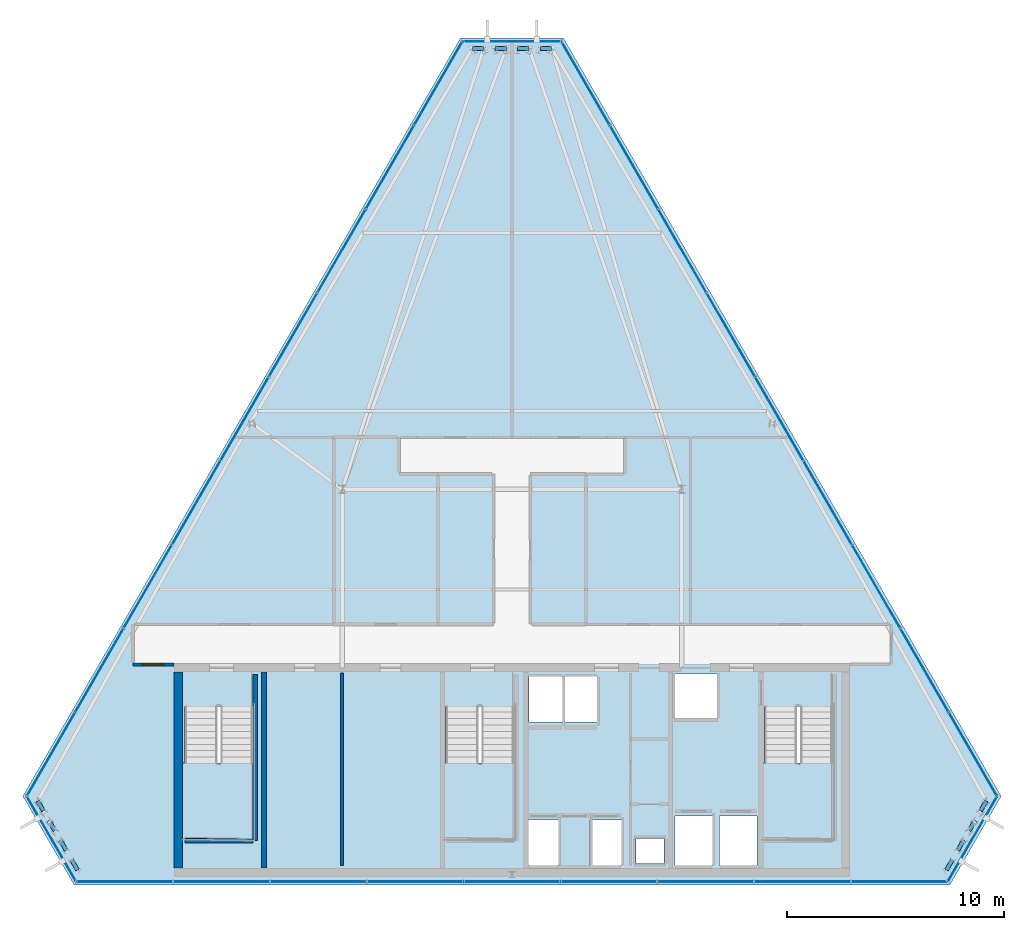
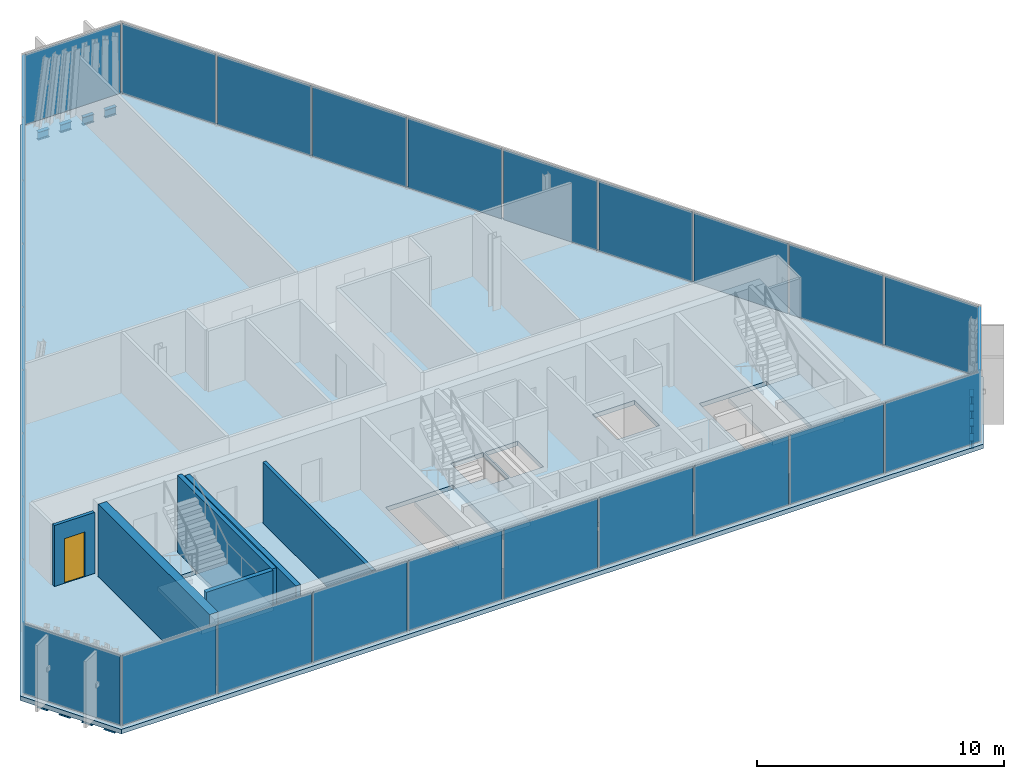
# One storey, part 26 of 32: 30 plates, 12 beams, 6 walls, 4 slabs, 1 door, 1 opening, 9 elements without a shape of their own.
"""IFC4 building model written with IfcOpenShell, lengths in metres."""

import ifcopenshell
import ifcopenshell.guid

model = None  # the IFC model being written
_history = None  # IfcOwnerHistory: only IFC2X3 demands one
_inside = {}  # id of a spatial element -> (the spatial element, [elements in it])
_under = {}  # id of a project, library or spatial element -> (it, [spatial elements below it])
_declared = {}  # id of a project -> (the project, [libraries it declares])
_typed = {}  # id of a type object -> (the type object, [elements of that type])
_made_of = {}  # id of a material, layer set ... -> (it, [elements and type objects made of it])


def new_model(schema):
    """Start an empty IFC model of exactly this schema.

    Asked for "IFC4X3", IfcOpenShell would pick the latest addendum, in which some entities
    have other attributes; the version numbers below select the first issue.
    IFC2X3 requires an IfcOwnerHistory on every rooted entity: one is made here for all.
    """
    global model, _history
    if schema == "IFC4X3":
        model = ifcopenshell.file(schema_version=(4, 3, 0, 0))
    else:
        model = ifcopenshell.file(schema=schema)
    _inside.clear()
    _under.clear()
    _declared.clear()
    _typed.clear()
    _made_of.clear()
    _history = None
    if model.schema == "IFC2X3":
        org = make("IfcOrganization", Name="unknown")
        user = make(
            "IfcPersonAndOrganization",
            ThePerson=make("IfcPerson", FamilyName="unknown"),
            TheOrganization=org,
        )
        app = make(
            "IfcApplication",
            ApplicationDeveloper=org,
            Version="unknown",
            ApplicationFullName="unknown",
            ApplicationIdentifier="unknown",
        )
        _history = make(
            "IfcOwnerHistory",
            OwningUser=user,
            OwningApplication=app,
            ChangeAction="ADDED",
            CreationDate=0,
        )
    return model


def make(cls, **values):
    """One entity of the class cls with the attributes given. An attribute that is None is left unset."""
    return model.create_entity(
        cls, **{name: value for name, value in values.items() if value is not None}
    )


def rooted(cls, **values):
    """An entity with a GlobalId (a new one), such as an element, a storey or a relation."""
    return make(cls, GlobalId=ifcopenshell.guid.new(), OwnerHistory=_history, **values)


def si_unit(unit_type, name, prefix=None):
    """IfcSIUnit, for example si_unit("LENGTHUNIT", "METRE", prefix="MILLI")."""
    return make("IfcSIUnit", UnitType=unit_type, Prefix=prefix, Name=name)


def assignment(units):
    """IfcUnitAssignment: the units of a project."""
    return None if units is None else make("IfcUnitAssignment", Units=units)


def point(xyz):
    """IfcCartesianPoint."""
    return None if xyz is None else make("IfcCartesianPoint", Coordinates=xyz)


def direction(xyz):
    """IfcDirection."""
    return None if xyz is None else make("IfcDirection", DirectionRatios=xyz)


def frame(location, z_axis=None, x_axis=None):
    """IfcAxis2Placement3D, a coordinate frame: its origin and axes. An axis left out is left unset."""
    return make(
        "IfcAxis2Placement3D",
        Location=point(location),
        Axis=direction(z_axis),
        RefDirection=direction(x_axis),
    )


def frame_2d(location, x_axis=None):
    """IfcAxis2Placement2D, a coordinate frame in the plane: its origin and x axis."""
    return make(
        "IfcAxis2Placement2D", Location=point(location), RefDirection=direction(x_axis)
    )


def origin():
    """The frame at (0, 0, 0) with its axes left unset."""
    return frame((0.0, 0.0, 0.0))


def origin_2d():
    """The frame at (0, 0) in the plane with its x axis left unset."""
    return frame_2d((0.0, 0.0))


def place(relative_to, where):
    """IfcLocalPlacement: puts the frame where relative to a parent placement (None: the world)."""
    return make(
        "IfcLocalPlacement", PlacementRelTo=relative_to, RelativePlacement=where
    )


def context(
    kind, dimensions, precision=None, world=None, true_north=None, identifier=None
):
    """IfcGeometricRepresentationContext, for example the 3D "Model" context."""
    return make(
        "IfcGeometricRepresentationContext",
        ContextIdentifier=identifier,
        ContextType=kind,
        CoordinateSpaceDimension=dimensions,
        Precision=precision,
        WorldCoordinateSystem=world,
        TrueNorth=true_north,
    )


def subcontext(parent, identifier, kind, view, scale=None):
    """IfcGeometricRepresentationSubContext, for example "Body" below "Model"."""
    return make(
        "IfcGeometricRepresentationSubContext",
        ContextIdentifier=identifier,
        ContextType=kind,
        ParentContext=parent,
        TargetScale=scale,
        TargetView=view,
    )


def project(units=None, contexts=None):
    """IfcProject with its units and contexts."""
    return rooted(
        "IfcProject",
        Name="project",
        RepresentationContexts=contexts,
        UnitsInContext=assignment(units),
    )


def spatial(cls, under=None, at=None, **own):
    """A site, building, storey or space (cls), placed at a placement, below another one or the project."""
    s = rooted(cls, ObjectPlacement=at, **own)
    if under is not None:
        _under.setdefault(under.id(), (under, []))[1].append(s)
    return s


def polyline(points):
    """IfcPolyline through the points."""
    return make("IfcPolyline", Points=[point(p) for p in points])


def profile(cls, at=None, kind="AREA", **sizes):
    """A parametric profile (cls). Its sizes go by their IFC names, for example OverallWidth=200.0."""
    return make(cls, ProfileType=kind, Position=at, **sizes)


def rectangle(**sizes):
    """IfcRectangleProfileDef."""
    return profile("IfcRectangleProfileDef", **sizes)


def i_section(**sizes):
    """IfcIShapeProfileDef."""
    return profile("IfcIShapeProfileDef", **sizes)


def outline(outer, holes=None, kind="AREA"):
    """IfcArbitraryClosedProfileDef: a profile drawn as a closed curve; with holes, ...WithVoids."""
    if holes is None:
        return make("IfcArbitraryClosedProfileDef", ProfileType=kind, OuterCurve=outer)
    return make(
        "IfcArbitraryProfileDefWithVoids",
        ProfileType=kind,
        OuterCurve=outer,
        InnerCurves=holes,
    )


def extrude(swept, where, along, depth):
    """IfcExtrudedAreaSolid: the profile swept, set in the frame where, extruded along a direction by depth."""
    return make(
        "IfcExtrudedAreaSolid",
        SweptArea=swept,
        Position=where,
        ExtrudedDirection=direction(along),
        Depth=depth,
    )


def shape(context_of_items, identifier, shape_type, items):
    """IfcShapeRepresentation: the items that make up one representation, for example the "Body"."""
    return make(
        "IfcShapeRepresentation",
        ContextOfItems=context_of_items,
        RepresentationIdentifier=identifier,
        RepresentationType=shape_type,
        Items=items,
    )


def material(Name=None, Category=None):
    """IfcMaterial."""
    return make("IfcMaterial", Name=Name, Category=Category)


def layer(
    of_material, thickness, ventilated=None, Name=None, Category=None, Priority=None
):
    """IfcMaterialLayer: one layer of a wall or slab, of a material (None: an air gap)."""
    return make(
        "IfcMaterialLayer",
        Material=of_material,
        LayerThickness=thickness,
        IsVentilated=ventilated,
        Name=Name,
        Category=Category,
        Priority=Priority,
    )


def layer_set(layers, Name=None):
    """IfcMaterialLayerSet."""
    return make("IfcMaterialLayerSet", MaterialLayers=layers, LayerSetName=Name)


def material_profile(
    of_material, cross_section, Name=None, Category=None, Priority=None
):
    """IfcMaterialProfile: a cross section and its material."""
    return make(
        "IfcMaterialProfile",
        Name=Name,
        Material=of_material,
        Profile=cross_section,
        Priority=Priority,
        Category=Category,
    )


def profile_set(profiles, Name=None, composite=None):
    """IfcMaterialProfileSet."""
    return make(
        "IfcMaterialProfileSet",
        Name=Name,
        MaterialProfiles=profiles,
        CompositeProfile=composite,
    )


def made_of(thing, what):
    """Note that an element or type object is made of a material, layer set ...; save() writes the relation."""
    if what is not None:
        _made_of.setdefault(what.id(), (what, []))[1].append(thing)
    return thing


def type_object(cls, material=None, **own):
    """A type object (cls), such as IfcWallType, which elements share."""
    return made_of(rooted(cls, **own), material)


def element(
    cls,
    number,
    at=None,
    inside=None,
    cuts=None,
    type_object=None,
    material=None,
    context=None,
    identifier="Body",
    shape_type=None,
    held_by="IfcProductDefinitionShape",
    body=None,
    shapes=None,
    **own,
):
    """One element of the class cls, such as IfcWall. Its Tag is "e" and its number.

    at: its placement. inside: the storey or other place that contains it. cuts: it is an
    opening in that element (IfcRelVoidsElement). A single representation is given by context,
    identifier, shape_type and body (its items); several are given by shapes. held_by: the class
    of the entity that holds the representations. save() writes the other relations.
    """
    e = rooted(cls, Tag="e%d" % number, ObjectPlacement=at, **own)
    if body is not None:
        shapes = [shape(context, identifier, shape_type, body)]
    if shapes is not None:
        e.Representation = make(held_by, Representations=shapes)
    if inside is not None:
        _inside.setdefault(inside.id(), (inside, []))[1].append(e)
    if cuts is not None:
        rooted(
            "IfcRelVoidsElement", RelatingBuildingElement=cuts, RelatedOpeningElement=e
        )
    if type_object is not None:
        _typed.setdefault(type_object.id(), (type_object, []))[1].append(e)
    return made_of(e, material)


def fill(opening, filler):
    """IfcRelFillsElement: the door or window that sits in an opening."""
    return rooted(
        "IfcRelFillsElement",
        RelatingOpeningElement=opening,
        RelatedBuildingElement=filler,
    )


def aggregate(whole, parts):
    """IfcRelAggregates: a whole, such as a stair, and the parts it consists of."""
    return rooted("IfcRelAggregates", RelatingObject=whole, RelatedObjects=parts)


def save(model, path):
    """Write the relations noted so far, then the file.

    IfcRelAggregates (storeys below a building ...), IfcRelContainedInSpatialStructure (elements
    in a storey), IfcRelDefinesByType, IfcRelAssociatesMaterial and IfcRelDeclares: one each for
    every whole, place, type object, material and project.
    """
    for whole, parts in _under.values():
        aggregate(whole, parts)
    for where, things in _inside.values():
        rooted(
            "IfcRelContainedInSpatialStructure",
            RelatedElements=things,
            RelatingStructure=where,
        )
    for kind, things in _typed.values():
        rooted("IfcRelDefinesByType", RelatedObjects=things, RelatingType=kind)
    for what, things in _made_of.values():
        rooted("IfcRelAssociatesMaterial", RelatedObjects=things, RelatingMaterial=what)
    for by, libraries in _declared.values():
        rooted("IfcRelDeclares", RelatingContext=by, RelatedDefinitions=libraries)
    model.write(path)


model = new_model("IFC4")

# Units and contexts
model_context = context("Model", 3, precision=1e-05, world=origin(), true_north=direction((0.0, 1.0)))
body_context = subcontext(model_context, "Body", "Model", "MODEL_VIEW")
ifc_project = project(units=[si_unit("LENGTHUNIT", "METRE"), si_unit("AREAUNIT", "SQUARE_METRE"), si_unit("VOLUMEUNIT", "CUBIC_METRE"), si_unit("PLANEANGLEUNIT", "RADIAN"), si_unit("MASSUNIT", "GRAM", prefix="KILO")], contexts=[model_context])

# Site, building, storey
site_placement = place(None, origin())
site = spatial("IfcSite", under=ifc_project, at=site_placement, CompositionType="ELEMENT")
building_placement = place(site_placement, origin())
building = spatial("IfcBuilding", under=site, at=building_placement, Name="Ndaravel Arena Tower", CompositionType="ELEMENT")
storey_placement = place(building_placement, frame((0.0, 0.0, 290.89990234375)))
storey = spatial("IfcBuildingStorey", under=building, at=storey_placement, Name="L71", CompositionType="ELEMENT", Elevation=290.89990234375)

# Beams
ifc_material_1 = material(Name="Steel S355", Category="steel")
ifc_material_profile = material_profile(ifc_material_1, i_section(OverallWidth=0.179931640625, OverallDepth=0.39990234375, WebThickness=0.008544921875, FlangeThickness=0.013427734375, FilletRadius=0.02099609375, at=origin_2d()), Name="IPE 400")
ifc_profile_set = profile_set([ifc_material_profile], Name="Steel S355")
beam_type = type_object("IfcBeamType", Name="BM-SPAN-IPE400", PredefinedType="SPANDREL", material=ifc_profile_set)
beam_1_placement = place(storey_placement, frame((61.98095703125, 5.7060546875, -0.419921875), z_axis=(0.499762962979, 0.866162213927, 0.0), x_axis=(-0.866162213927, 0.499762962979, 0.0)))
element("IfcBeam", 1, at=beam_1_placement, inside=storey, type_object=beam_type, Name="L71 Perimeter Spandrel Beam SP-02", PredefinedType="SPANDREL", context=body_context, shape_type="SweptSolid", body=[
    extrude(i_section(OverallWidth=0.179931640625, OverallDepth=0.39990234375, WebThickness=0.008544921875, FlangeThickness=0.013427734375, FilletRadius=0.02099609375, at=origin_2d()), origin(), (0.0, 0.0, 1.0), 0.521728515625),
])
for number, where, z_axis, x_axis, name in (
    (2, (62.502685546875, 6.610107421875, -0.419921875), (0.500113907867, 0.865959629058, 0.0), (-0.865959629058, 0.500113907867, 0.0), "L71 Perimeter Spandrel Beam SP-04"),
    (3, (63.024658203125, 7.513916015625, -0.419921875), (0.500113907867, 0.865959629058, 0.0), (-0.865959629058, 0.500113907867, 0.0), "L71 Perimeter Spandrel Beam SP-06"),
    (4, (63.54638671875, 8.41796875, -0.419921875), (0.500113907867, 0.865959629058, 0.0), (-0.865959629058, 0.500113907867, 0.0), "L71 Perimeter Spandrel Beam SP-08"),
    (5, (43.82666015625, 43.477783203125, -0.419921875), (-1.0, 0.0, 0.0), (0.0, -1.0, 0.0), "L71 Perimeter Spandrel Beam SP-11"),
    (6, (42.782958984375, 43.477783203125, -0.419921875), (-1.0, 0.0, 0.0), (0.0, -1.0, 0.0), "L71 Perimeter Spandrel Beam SP-13"),
    (7, (41.739013671875, 43.477783203125, -0.419921875), (-1.0, 0.0, 0.0), (0.0, -1.0, 0.0), "L71 Perimeter Spandrel Beam SP-15"),
    (8, (40.6953125, 43.477783203125, -0.419921875), (-1.0, 0.0, 0.0), (0.0, -1.0, 0.0), "L71 Perimeter Spandrel Beam SP-17"),
    (9, (20.192626953125, 8.869873046875, -0.419921875), (0.500113907867, -0.865959629058, 0.0), (0.865959629058, 0.500113907867, 0.0), "L71 Perimeter Spandrel Beam SP-20"),
    (10, (20.71435546875, 7.9658203125, -0.419921875), (0.500113907867, -0.865959629058, 0.0), (0.865959629058, 0.500113907867, 0.0), "L71 Perimeter Spandrel Beam SP-22"),
    (11, (21.236328125, 7.06201171875, -0.419921875), (0.500113907867, -0.865959629058, 0.0), (0.865959629058, 0.500113907867, 0.0), "L71 Perimeter Spandrel Beam SP-24"),
):
    element("IfcBeam", number, at=place(storey_placement, frame(where, z_axis=z_axis, x_axis=x_axis)), inside=storey, type_object=beam_type, Name=name, PredefinedType="SPANDREL", context=body_context, shape_type="SweptSolid", body=[
        extrude(i_section(OverallWidth=0.179931640625, OverallDepth=0.39990234375, WebThickness=0.008544921875, FlangeThickness=0.013427734375, FilletRadius=0.02099609375, at=origin_2d()), origin(), (0.0, 0.0, 1.0), 0.52197265625),
    ])
beam_2_placement = place(storey_placement, frame((21.75830078125, 6.157958984375, -0.419921875), z_axis=(0.499762962979, -0.866162213927, 0.0), x_axis=(0.866162213927, 0.499762962979, 0.0)))
element("IfcBeam", 12, at=beam_2_placement, inside=storey, type_object=beam_type, Name="L71 Perimeter Spandrel Beam SP-26", PredefinedType="SPANDREL", context=body_context, shape_type="SweptSolid", body=[
    extrude(i_section(OverallWidth=0.179931640625, OverallDepth=0.39990234375, WebThickness=0.008544921875, FlangeThickness=0.013427734375, FilletRadius=0.02099609375, at=origin_2d()), origin(), (0.0, 0.0, 1.0), 0.521728515625),
])

# Curtain wall, plate
ifc_material_2 = material(Name="Aluminium", Category="aluminium")
ifc_layer_1 = layer(ifc_material_2, 0.179931640625)
ifc_layer_set_1 = layer_set([ifc_layer_1], Name="Aluminium")
curtain_wall_type_1 = type_object("IfcCurtainWallType", Name="CW-SYS-01", PredefinedType="NOTDEFINED", material=ifc_layer_set_1)
curtain_wall_1_placement = place(storey_placement, origin())
curtain_wall_1 = element("IfcCurtainWall", 13, at=curtain_wall_1_placement, inside=storey, type_object=curtain_wall_type_1, Name="L71 Faceted Crystal Curtain Wall CW-L71-E02", PredefinedType="NOTDEFINED")
ifc_material_3 = material(Name="Glazing", Category="glass")
ifc_layer_2 = layer(ifc_material_3, 0.031982421875)
ifc_layer_set_2 = layer_set([ifc_layer_2], Name="Glazing")
plate_type_1 = type_object("IfcPlateType", Name="PLT-GLZ-FRIT35", PredefinedType="CURTAIN_PANEL", material=ifc_layer_set_2)
plate_1_placement = place(storey_placement, frame((63.17138671875, 7.1279296875, 0.06005859375), z_axis=(0.0, 0.0, 1.0), x_axis=(0.499984884929, 0.866034130299, 0.0)))
plate_1 = element("IfcPlate", 14, at=plate_1_placement, type_object=plate_type_1, Name="CW-L71-E02 Vision Glass Panel 01", PredefinedType="CURTAIN_PANEL", context=body_context, shape_type="SweptSolid", body=[
    extrude(rectangle(XDim=4.464599609375, YDim=0.035888671875, at=origin_2d()), origin(), (0.0, 0.0, 1.0), 3.4599609375),
])
aggregate(curtain_wall_1, [plate_1])

curtain_wall_2_placement = place(storey_placement, origin())
curtain_wall_2 = element("IfcCurtainWall", 15, at=curtain_wall_2_placement, inside=storey, type_object=curtain_wall_type_1, Name="L71 Faceted Crystal Curtain Wall CW-L71-E04", PredefinedType="NOTDEFINED")
plate_2_placement = place(storey_placement, frame((42.0, 43.797607421875, 0.06005859375), z_axis=(0.0, 0.0, 1.0), x_axis=(-1.0, 0.0, 0.0)))
plate_2 = element("IfcPlate", 16, at=plate_2_placement, type_object=plate_type_1, Name="CW-L71-E04 Vision Glass Panel 01", PredefinedType="CURTAIN_PANEL", context=body_context, shape_type="SweptSolid", body=[
    extrude(rectangle(XDim=4.46484375, YDim=0.035888671875, at=origin_2d()), origin(), (0.0, 0.0, 1.0), 3.4599609375),
])
aggregate(curtain_wall_2, [plate_2])

ifc_material_4 = material(Name="Aluminium", Category="aluminium")
ifc_layer_3 = layer(ifc_material_4, 0.179931640625)
ifc_layer_set_3 = layer_set([ifc_layer_3], Name="Aluminium")
curtain_wall_type_2 = type_object("IfcCurtainWallType", Name="CW-SYS-02", PredefinedType="NOTDEFINED", material=ifc_layer_set_3)
curtain_wall_3_placement = place(storey_placement, origin())
curtain_wall_3 = element("IfcCurtainWall", 17, at=curtain_wall_3_placement, inside=storey, type_object=curtain_wall_type_2, Name="L71 Faceted Crystal Curtain Wall CW-L71-E06", PredefinedType="NOTDEFINED")
ifc_material_5 = material(Name="Glazing", Category="glass")
ifc_layer_4 = layer(ifc_material_5, 0.035888671875)
ifc_layer_set_4 = layer_set([ifc_layer_4], Name="Glazing")
plate_type_2 = type_object("IfcPlateType", Name="PLT-GLZ-FRIT55", PredefinedType="CURTAIN_PANEL", material=ifc_layer_set_4)
plate_3_placement = place(storey_placement, frame((20.82861328125, 7.1279296875, 0.06005859375), z_axis=(0.0, 0.0, 1.0), x_axis=(0.499984884929, -0.866034130299, 0.0)))
plate_3 = element("IfcPlate", 18, at=plate_3_placement, type_object=plate_type_2, Name="CW-L71-E06 Vision Glass Panel 01", PredefinedType="CURTAIN_PANEL", context=body_context, shape_type="SweptSolid", body=[
    extrude(rectangle(XDim=4.464599609375, YDim=0.035888671875, at=origin_2d()), origin(), (0.0, 0.0, 1.0), 3.4599609375),
])
aggregate(curtain_wall_3, [plate_3])

# Curtain wall, plates
ifc_material_6 = material(Name="Aluminium", Category="aluminium")
ifc_layer_5 = layer(ifc_material_6, 0.179931640625)
ifc_layer_set_5 = layer_set([ifc_layer_5], Name="Aluminium")
curtain_wall_type_3 = type_object("IfcCurtainWallType", Name="CW-SYS-03", PredefinedType="NOTDEFINED", material=ifc_layer_set_5)
curtain_wall_4_placement = place(storey_placement, origin())
curtain_wall_4 = element("IfcCurtainWall", 19, at=curtain_wall_4_placement, inside=storey, type_object=curtain_wall_type_3, Name="L71 Faceted Crystal Curtain Wall CW-L71-E01", PredefinedType="NOTDEFINED")
ifc_material_7 = material(Name="Glazing", Category="glass")
ifc_layer_6 = layer(ifc_material_7, 0.0400390625)
ifc_layer_set_6 = layer_set([ifc_layer_6], Name="Glazing")
plate_type_3 = type_object("IfcPlateType", Name="PLT-GLZ-LOWIRON", PredefinedType="CURTAIN_PANEL", material=ifc_layer_set_6)
plate_4_placement = place(storey_placement, frame((24.19091796875, 5.159912109375, 0.06005859375), z_axis=(0.0, 0.0, 1.0), x_axis=(1.0, 0.0, 0.0)))
plate_4 = element("IfcPlate", 20, at=plate_4_placement, type_object=plate_type_3, Name="CW-L71-E01 Vision Glass Panel 01", PredefinedType="CURTAIN_PANEL", context=body_context, shape_type="SweptSolid", body=[
    extrude(rectangle(XDim=4.372314453125, YDim=0.035888671875, at=origin_2d()), origin(), (0.0, 0.0, 1.0), 3.4599609375),
])
plate_5_placement = place(storey_placement, frame((28.643310546875, 5.159912109375, 0.06005859375), z_axis=(0.0, 0.0, 1.0), x_axis=(1.0, 0.0, 0.0)))
plate_5 = element("IfcPlate", 21, at=plate_5_placement, type_object=plate_type_3, Name="CW-L71-E01 Vision Glass Panel 02", PredefinedType="CURTAIN_PANEL", context=body_context, shape_type="SweptSolid", body=[
    extrude(rectangle(XDim=4.372314453125, YDim=0.035888671875, at=origin_2d()), origin(), (0.0, 0.0, 1.0), 3.4599609375),
])
plate_6_placement = place(storey_placement, frame((33.095458984375, 5.159912109375, 0.06005859375), z_axis=(0.0, 0.0, 1.0), x_axis=(1.0, 0.0, 0.0)))
plate_6 = element("IfcPlate", 22, at=plate_6_placement, type_object=plate_type_3, Name="CW-L71-E01 Vision Glass Panel 03", PredefinedType="CURTAIN_PANEL", context=body_context, shape_type="SweptSolid", body=[
    extrude(rectangle(XDim=4.372314453125, YDim=0.035888671875, at=origin_2d()), origin(), (0.0, 0.0, 1.0), 3.4599609375),
])
plate_7_placement = place(storey_placement, frame((37.5478515625, 5.159912109375, 0.06005859375), z_axis=(0.0, 0.0, 1.0), x_axis=(1.0, 0.0, 0.0)))
plate_7 = element("IfcPlate", 23, at=plate_7_placement, type_object=plate_type_3, Name="CW-L71-E01 Vision Glass Panel 04", PredefinedType="CURTAIN_PANEL", context=body_context, shape_type="SweptSolid", body=[
    extrude(rectangle(XDim=4.372314453125, YDim=0.035888671875, at=origin_2d()), origin(), (0.0, 0.0, 1.0), 3.4599609375),
])
plate_8_placement = place(storey_placement, frame((42.0, 5.159912109375, 0.06005859375), z_axis=(0.0, 0.0, 1.0), x_axis=(1.0, 0.0, 0.0)))
plate_8 = element("IfcPlate", 24, at=plate_8_placement, type_object=plate_type_3, Name="CW-L71-E01 Vision Glass Panel 05", PredefinedType="CURTAIN_PANEL", context=body_context, shape_type="SweptSolid", body=[
    extrude(rectangle(XDim=4.372314453125, YDim=0.035888671875, at=origin_2d()), origin(), (0.0, 0.0, 1.0), 3.4599609375),
])
plate_9_placement = place(storey_placement, frame((46.4521484375, 5.159912109375, 0.06005859375), z_axis=(0.0, 0.0, 1.0), x_axis=(1.0, 0.0, 0.0)))
plate_9 = element("IfcPlate", 25, at=plate_9_placement, type_object=plate_type_3, Name="CW-L71-E01 Vision Glass Panel 06", PredefinedType="CURTAIN_PANEL", context=body_context, shape_type="SweptSolid", body=[
    extrude(rectangle(XDim=4.372314453125, YDim=0.035888671875, at=origin_2d()), origin(), (0.0, 0.0, 1.0), 3.4599609375),
])
plate_10_placement = place(storey_placement, frame((50.904541015625, 5.159912109375, 0.06005859375), z_axis=(0.0, 0.0, 1.0), x_axis=(1.0, 0.0, 0.0)))
plate_10 = element("IfcPlate", 26, at=plate_10_placement, type_object=plate_type_3, Name="CW-L71-E01 Vision Glass Panel 07", PredefinedType="CURTAIN_PANEL", context=body_context, shape_type="SweptSolid", body=[
    extrude(rectangle(XDim=4.372314453125, YDim=0.035888671875, at=origin_2d()), origin(), (0.0, 0.0, 1.0), 3.4599609375),
])
plate_11_placement = place(storey_placement, frame((55.356689453125, 5.159912109375, 0.06005859375), z_axis=(0.0, 0.0, 1.0), x_axis=(1.0, 0.0, 0.0)))
plate_11 = element("IfcPlate", 27, at=plate_11_placement, type_object=plate_type_3, Name="CW-L71-E01 Vision Glass Panel 08", PredefinedType="CURTAIN_PANEL", context=body_context, shape_type="SweptSolid", body=[
    extrude(rectangle(XDim=4.372314453125, YDim=0.035888671875, at=origin_2d()), origin(), (0.0, 0.0, 1.0), 3.4599609375),
])
plate_12_placement = place(storey_placement, frame((59.80908203125, 5.159912109375, 0.06005859375), z_axis=(0.0, 0.0, 1.0), x_axis=(1.0, 0.0, 0.0)))
plate_12 = element("IfcPlate", 28, at=plate_12_placement, type_object=plate_type_3, Name="CW-L71-E01 Vision Glass Panel 09", PredefinedType="CURTAIN_PANEL", context=body_context, shape_type="SweptSolid", body=[
    extrude(rectangle(XDim=4.372314453125, YDim=0.035888671875, at=origin_2d()), origin(), (0.0, 0.0, 1.0), 3.4599609375),
])
aggregate(curtain_wall_4, [plate_4, plate_5, plate_6, plate_7, plate_8, plate_9, plate_10, plate_11, plate_12])

curtain_wall_5_placement = place(storey_placement, origin())
curtain_wall_5 = element("IfcCurtainWall", 29, at=curtain_wall_5_placement, inside=storey, type_object=curtain_wall_type_3, Name="L71 Faceted Crystal Curtain Wall CW-L71-E03", PredefinedType="NOTDEFINED")
plate_13_placement = place(storey_placement, frame((63.1943359375, 11.023681640625, 0.06005859375), z_axis=(0.0, 0.0, 1.0), x_axis=(-0.5, 0.866025403784, 0.0)))
plate_13 = element("IfcPlate", 30, at=plate_13_placement, type_object=plate_type_3, Name="CW-L71-E03 Vision Glass Panel 01", PredefinedType="CURTAIN_PANEL", context=body_context, shape_type="SweptSolid", body=[
    extrude(rectangle(XDim=4.372314453125, YDim=0.035888671875, at=origin_2d()), origin(), (0.0, 0.0, 1.0), 3.4599609375),
])
plate_14_placement = place(storey_placement, frame((60.96826171875, 14.87939453125, 0.06005859375), z_axis=(0.0, 0.0, 1.0), x_axis=(-0.5, 0.866025403784, 0.0)))
plate_14 = element("IfcPlate", 31, at=plate_14_placement, type_object=plate_type_3, Name="CW-L71-E03 Vision Glass Panel 02", PredefinedType="CURTAIN_PANEL", context=body_context, shape_type="SweptSolid", body=[
    extrude(rectangle(XDim=4.372314453125, YDim=0.035888671875, at=origin_2d()), origin(), (0.0, 0.0, 1.0), 3.4599609375),
])
plate_15_placement = place(storey_placement, frame((58.7421875, 18.7353515625, 0.06005859375), z_axis=(0.0, 0.0, 1.0), x_axis=(-0.5, 0.866025403784, 0.0)))
plate_15 = element("IfcPlate", 32, at=plate_15_placement, type_object=plate_type_3, Name="CW-L71-E03 Vision Glass Panel 03", PredefinedType="CURTAIN_PANEL", context=body_context, shape_type="SweptSolid", body=[
    extrude(rectangle(XDim=4.372314453125, YDim=0.035888671875, at=origin_2d()), origin(), (0.0, 0.0, 1.0), 3.4599609375),
])
plate_16_placement = place(storey_placement, frame((56.51611328125, 22.591064453125, 0.06005859375), z_axis=(0.0, 0.0, 1.0), x_axis=(-0.5, 0.866025403784, 0.0)))
plate_16 = element("IfcPlate", 33, at=plate_16_placement, type_object=plate_type_3, Name="CW-L71-E03 Vision Glass Panel 04", PredefinedType="CURTAIN_PANEL", context=body_context, shape_type="SweptSolid", body=[
    extrude(rectangle(XDim=4.372314453125, YDim=0.035888671875, at=origin_2d()), origin(), (0.0, 0.0, 1.0), 3.4599609375),
])
plate_17_placement = place(storey_placement, frame((54.289794921875, 26.44677734375, 0.06005859375), z_axis=(0.0, 0.0, 1.0), x_axis=(-0.5, 0.866025403784, 0.0)))
plate_17 = element("IfcPlate", 34, at=plate_17_placement, type_object=plate_type_3, Name="CW-L71-E03 Vision Glass Panel 05", PredefinedType="CURTAIN_PANEL", context=body_context, shape_type="SweptSolid", body=[
    extrude(rectangle(XDim=4.372314453125, YDim=0.035888671875, at=origin_2d()), origin(), (0.0, 0.0, 1.0), 3.4599609375),
])
plate_18_placement = place(storey_placement, frame((52.063720703125, 30.302490234375, 0.06005859375), z_axis=(0.0, 0.0, 1.0), x_axis=(-0.5, 0.866025403784, 0.0)))
plate_18 = element("IfcPlate", 35, at=plate_18_placement, type_object=plate_type_3, Name="CW-L71-E03 Vision Glass Panel 06", PredefinedType="CURTAIN_PANEL", context=body_context, shape_type="SweptSolid", body=[
    extrude(rectangle(XDim=4.372314453125, YDim=0.035888671875, at=origin_2d()), origin(), (0.0, 0.0, 1.0), 3.4599609375),
])
plate_19_placement = place(storey_placement, frame((49.837646484375, 34.158203125, 0.06005859375), z_axis=(0.0, 0.0, 1.0), x_axis=(-0.5, 0.866025403784, 0.0)))
plate_19 = element("IfcPlate", 36, at=plate_19_placement, type_object=plate_type_3, Name="CW-L71-E03 Vision Glass Panel 07", PredefinedType="CURTAIN_PANEL", context=body_context, shape_type="SweptSolid", body=[
    extrude(rectangle(XDim=4.372314453125, YDim=0.035888671875, at=origin_2d()), origin(), (0.0, 0.0, 1.0), 3.4599609375),
])
plate_20_placement = place(storey_placement, frame((47.611572265625, 38.01416015625, 0.06005859375), z_axis=(0.0, 0.0, 1.0), x_axis=(-0.5, 0.866025403784, 0.0)))
plate_20 = element("IfcPlate", 37, at=plate_20_placement, type_object=plate_type_3, Name="CW-L71-E03 Vision Glass Panel 08", PredefinedType="CURTAIN_PANEL", context=body_context, shape_type="SweptSolid", body=[
    extrude(rectangle(XDim=4.372314453125, YDim=0.035888671875, at=origin_2d()), origin(), (0.0, 0.0, 1.0), 3.4599609375),
])
plate_21_placement = place(storey_placement, frame((45.385498046875, 41.869873046875, 0.06005859375), z_axis=(0.0, 0.0, 1.0), x_axis=(-0.5, 0.866025403784, 0.0)))
plate_21 = element("IfcPlate", 38, at=plate_21_placement, type_object=plate_type_3, Name="CW-L71-E03 Vision Glass Panel 09", PredefinedType="CURTAIN_PANEL", context=body_context, shape_type="SweptSolid", body=[
    extrude(rectangle(XDim=4.372314453125, YDim=0.035888671875, at=origin_2d()), origin(), (0.0, 0.0, 1.0), 3.4599609375),
])
aggregate(curtain_wall_5, [plate_13, plate_14, plate_15, plate_16, plate_17, plate_18, plate_19, plate_20, plate_21])

curtain_wall_6_placement = place(storey_placement, origin())
curtain_wall_6 = element("IfcCurtainWall", 39, at=curtain_wall_6_placement, inside=storey, type_object=curtain_wall_type_3, Name="L71 Faceted Crystal Curtain Wall CW-L71-E05", PredefinedType="NOTDEFINED")
plate_22_placement = place(storey_placement, frame((38.614501953125, 41.869873046875, 0.06005859375), z_axis=(0.0, 0.0, 1.0), x_axis=(-0.5, -0.866025403784, 0.0)))
plate_22 = element("IfcPlate", 40, at=plate_22_placement, type_object=plate_type_3, Name="CW-L71-E05 Vision Glass Panel 01", PredefinedType="CURTAIN_PANEL", context=body_context, shape_type="SweptSolid", body=[
    extrude(rectangle(XDim=4.372314453125, YDim=0.035888671875, at=origin_2d()), origin(), (0.0, 0.0, 1.0), 3.4599609375),
])
plate_23_placement = place(storey_placement, frame((36.388427734375, 38.01416015625, 0.06005859375), z_axis=(0.0, 0.0, 1.0), x_axis=(-0.5, -0.866025403784, 0.0)))
plate_23 = element("IfcPlate", 41, at=plate_23_placement, type_object=plate_type_3, Name="CW-L71-E05 Vision Glass Panel 02", PredefinedType="CURTAIN_PANEL", context=body_context, shape_type="SweptSolid", body=[
    extrude(rectangle(XDim=4.372314453125, YDim=0.035888671875, at=origin_2d()), origin(), (0.0, 0.0, 1.0), 3.4599609375),
])
plate_24_placement = place(storey_placement, frame((34.162353515625, 34.158203125, 0.06005859375), z_axis=(0.0, 0.0, 1.0), x_axis=(-0.5, -0.866025403784, 0.0)))
plate_24 = element("IfcPlate", 42, at=plate_24_placement, type_object=plate_type_3, Name="CW-L71-E05 Vision Glass Panel 03", PredefinedType="CURTAIN_PANEL", context=body_context, shape_type="SweptSolid", body=[
    extrude(rectangle(XDim=4.372314453125, YDim=0.035888671875, at=origin_2d()), origin(), (0.0, 0.0, 1.0), 3.4599609375),
])
plate_25_placement = place(storey_placement, frame((31.936279296875, 30.302490234375, 0.06005859375), z_axis=(0.0, 0.0, 1.0), x_axis=(-0.5, -0.866025403784, 0.0)))
plate_25 = element("IfcPlate", 43, at=plate_25_placement, type_object=plate_type_3, Name="CW-L71-E05 Vision Glass Panel 04", PredefinedType="CURTAIN_PANEL", context=body_context, shape_type="SweptSolid", body=[
    extrude(rectangle(XDim=4.372314453125, YDim=0.035888671875, at=origin_2d()), origin(), (0.0, 0.0, 1.0), 3.4599609375),
])
plate_26_placement = place(storey_placement, frame((29.710205078125, 26.44677734375, 0.06005859375), z_axis=(0.0, 0.0, 1.0), x_axis=(-0.5, -0.866025403784, 0.0)))
plate_26 = element("IfcPlate", 44, at=plate_26_placement, type_object=plate_type_3, Name="CW-L71-E05 Vision Glass Panel 05", PredefinedType="CURTAIN_PANEL", context=body_context, shape_type="SweptSolid", body=[
    extrude(rectangle(XDim=4.372314453125, YDim=0.035888671875, at=origin_2d()), origin(), (0.0, 0.0, 1.0), 3.4599609375),
])
plate_27_placement = place(storey_placement, frame((27.48388671875, 22.591064453125, 0.06005859375), z_axis=(0.0, 0.0, 1.0), x_axis=(-0.5, -0.866025403784, 0.0)))
plate_27 = element("IfcPlate", 45, at=plate_27_placement, type_object=plate_type_3, Name="CW-L71-E05 Vision Glass Panel 06", PredefinedType="CURTAIN_PANEL", context=body_context, shape_type="SweptSolid", body=[
    extrude(rectangle(XDim=4.372314453125, YDim=0.035888671875, at=origin_2d()), origin(), (0.0, 0.0, 1.0), 3.4599609375),
])
plate_28_placement = place(storey_placement, frame((25.2578125, 18.7353515625, 0.06005859375), z_axis=(0.0, 0.0, 1.0), x_axis=(-0.5, -0.866025403784, 0.0)))
plate_28 = element("IfcPlate", 46, at=plate_28_placement, type_object=plate_type_3, Name="CW-L71-E05 Vision Glass Panel 07", PredefinedType="CURTAIN_PANEL", context=body_context, shape_type="SweptSolid", body=[
    extrude(rectangle(XDim=4.372314453125, YDim=0.035888671875, at=origin_2d()), origin(), (0.0, 0.0, 1.0), 3.4599609375),
])
plate_29_placement = place(storey_placement, frame((23.03173828125, 14.87939453125, 0.06005859375), z_axis=(0.0, 0.0, 1.0), x_axis=(-0.5, -0.866025403784, 0.0)))
plate_29 = element("IfcPlate", 47, at=plate_29_placement, type_object=plate_type_3, Name="CW-L71-E05 Vision Glass Panel 08", PredefinedType="CURTAIN_PANEL", context=body_context, shape_type="SweptSolid", body=[
    extrude(rectangle(XDim=4.372314453125, YDim=0.035888671875, at=origin_2d()), origin(), (0.0, 0.0, 1.0), 3.4599609375),
])
plate_30_placement = place(storey_placement, frame((20.8056640625, 11.023681640625, 0.06005859375), z_axis=(0.0, 0.0, 1.0), x_axis=(-0.5, -0.866025403784, 0.0)))
plate_30 = element("IfcPlate", 48, at=plate_30_placement, type_object=plate_type_3, Name="CW-L71-E05 Vision Glass Panel 09", PredefinedType="CURTAIN_PANEL", context=body_context, shape_type="SweptSolid", body=[
    extrude(rectangle(XDim=4.372314453125, YDim=0.035888671875, at=origin_2d()), origin(), (0.0, 0.0, 1.0), 3.4599609375),
])
aggregate(curtain_wall_6, [plate_22, plate_23, plate_24, plate_25, plate_26, plate_27, plate_28, plate_29, plate_30])

# Stair, slab
ifc_material_8 = material(Name="Concrete C40/50", Category="concrete")
stair_type = type_object("IfcStairType", Name="STAIR-CORE-HT", PredefinedType="HALF_TURN_STAIR", material=ifc_material_8)
stair_1_placement = place(storey_placement, origin())
stair_1 = element("IfcStair", 49, at=stair_1_placement, inside=storey, type_object=stair_type, Name="L71 ST-1", PredefinedType="HALF_TURN_STAIR")
ifc_material_9 = material(Name="Concrete C40/50", Category="concrete")
ifc_layer_7 = layer(ifc_material_9, 0.199951171875)
ifc_layer_set_7 = layer_set([ifc_layer_7], Name="Concrete C40/50")
slab_type_1 = type_object("IfcSlabType", Name="SLAB-STAIR-LANDING", PredefinedType="LANDING", material=ifc_layer_set_7)
slab_1_placement = place(storey_placement, frame((0.0, 0.0, 1.7001953125)))
slab_1 = element("IfcSlab", 50, at=slab_1_placement, type_object=slab_type_1, Name="ST-1 landing 1", PredefinedType="LANDING", context=body_context, shape_type="SweptSolid", body=[
    extrude(outline(polyline([(26.81005859375, 10.6298828125), (26.81005859375, 7.070068359375), (30.169921875, 7.070068359375), (30.169921875, 10.6298828125), (26.81005859375, 10.6298828125)])), origin(), (0.0, 0.0, 1.0), 0.199951171875),
])
aggregate(stair_1, [slab_1])

stair_2_placement = place(storey_placement, origin())
stair_2 = element("IfcStair", 51, at=stair_2_placement, inside=storey, type_object=stair_type, Name="L71 ST-2", PredefinedType="HALF_TURN_STAIR")
slab_2_placement = place(storey_placement, frame((0.0, 0.0, 1.7001953125)))
slab_2 = element("IfcSlab", 52, at=slab_2_placement, type_object=slab_type_1, Name="ST-2 landing 1", PredefinedType="LANDING", context=body_context, shape_type="SweptSolid", body=[
    extrude(outline(polyline([(38.81005859375, 10.6298828125), (38.81005859375, 7.070068359375), (42.169921875, 7.070068359375), (42.169921875, 10.6298828125), (38.81005859375, 10.6298828125)])), origin(), (0.0, 0.0, 1.0), 0.199951171875),
])
aggregate(stair_2, [slab_2])

stair_3_placement = place(storey_placement, origin())
stair_3 = element("IfcStair", 53, at=stair_3_placement, inside=storey, type_object=stair_type, Name="L71 ST-3", PredefinedType="HALF_TURN_STAIR")
slab_3_placement = place(storey_placement, frame((0.0, 0.0, 1.7001953125)))
slab_3 = element("IfcSlab", 54, at=slab_3_placement, type_object=slab_type_1, Name="ST-3 landing 1", PredefinedType="LANDING", context=body_context, shape_type="SweptSolid", body=[
    extrude(outline(polyline([(53.4599609375, 10.6298828125), (53.4599609375, 7.070068359375), (56.820068359375, 7.070068359375), (56.820068359375, 10.6298828125), (53.4599609375, 10.6298828125)])), origin(), (0.0, 0.0, 1.0), 0.199951171875),
])
aggregate(stair_3, [slab_3])

# Slab
ifc_material_10 = material(Name="Concrete C40/50", Category="concrete")
ifc_layer_8 = layer(ifc_material_10, 0.219970703125)
ifc_layer_set_8 = layer_set([ifc_layer_8], Name="Concrete C40/50")
slab_type_2 = type_object("IfcSlabType", Name="SLAB-TWR-220", PredefinedType="FLOOR", material=ifc_layer_set_8)
slab_4_placement = place(storey_placement, frame((0.0, 0.0, -0.219970703125)))
element("IfcSlab", 55, at=slab_4_placement, inside=storey, type_object=slab_type_2, Name="L71 Structural Floor Slab", PredefinedType="FLOOR", context=body_context, shape_type="SweptSolid", body=[
    extrude(outline(polyline([(19.5078125, 9.095947265625), (21.87255859375, 5.0), (62.12744140625, 5.0), (64.4921875, 9.095947265625), (44.36474609375, 43.957763671875), (39.63525390625, 43.957763671875), (19.5078125, 9.095947265625)]), holes=[polyline([(26.949951171875, 13.215087890625), (26.949951171875, 7.14990234375), (30.090087890625, 7.14990234375), (30.090087890625, 13.215087890625), (26.949951171875, 13.215087890625)]), polyline([(38.949951171875, 13.215087890625), (38.949951171875, 7.14990234375), (42.090087890625, 7.14990234375), (42.090087890625, 13.215087890625), (38.949951171875, 13.215087890625)]), polyline([(53.60009765625, 13.215087890625), (53.60009765625, 7.14990234375), (56.739990234375, 7.14990234375), (56.739990234375, 13.215087890625), (53.60009765625, 13.215087890625)]), polyline([(42.659912109375, 5.909912109375), (44.139892578125, 5.909912109375), (44.139892578125, 7.989990234375), (42.659912109375, 7.989990234375), (42.659912109375, 5.909912109375)]), polyline([(45.56005859375, 5.909912109375), (47.0400390625, 5.909912109375), (47.0400390625, 7.989990234375), (45.56005859375, 7.989990234375), (45.56005859375, 5.909912109375)]), polyline([(42.784912109375, 12.510009765625), (44.31494140625, 12.510009765625), (44.31494140625, 14.590087890625), (42.784912109375, 14.590087890625), (42.784912109375, 12.510009765625)]), polyline([(44.385009765625, 12.510009765625), (45.9150390625, 12.510009765625), (45.9150390625, 14.590087890625), (44.385009765625, 14.590087890625), (44.385009765625, 12.510009765625)]), polyline([(49.485107421875, 5.909912109375), (51.215087890625, 5.909912109375), (51.215087890625, 8.18994140625), (49.485107421875, 8.18994140625), (49.485107421875, 5.909912109375)]), polyline([(51.534912109375, 5.909912109375), (53.264892578125, 5.909912109375), (53.264892578125, 8.18994140625), (51.534912109375, 8.18994140625), (51.534912109375, 5.909912109375)]), polyline([(49.4599609375, 12.68505859375), (51.43994140625, 12.68505859375), (51.43994140625, 14.715087890625), (49.4599609375, 14.715087890625), (49.4599609375, 12.68505859375)]), polyline([(47.699951171875, 6.0), (49.0, 6.0), (49.0, 7.139892578125), (47.699951171875, 7.139892578125), (47.699951171875, 6.0)])]), origin(), (0.0, 0.0, 1.0), 0.219970703125),
])

# Walls
ifc_material_11 = material(Name="Gypsum", Category="gypsum")
ifc_layer_9 = layer(ifc_material_11, 0.14990234375)
ifc_layer_set_9 = layer_set([ifc_layer_9], Name="Gypsum")
wall_type_1 = type_object("IfcWallType", Name="WALL-COMP-150", PredefinedType="PARTITIONING", material=ifc_layer_set_9)
wall_1_placement = place(storey_placement, frame((34.179931640625, 5.89990234375, 0.0), z_axis=(0.0, 0.0, 1.0), x_axis=(0.0, 1.0, 0.0)))
element("IfcWall", 56, at=wall_1_placement, inside=storey, type_object=wall_type_1, Name="L71 High-Zone Core Divider 1", PredefinedType="PARTITIONING", context=body_context, shape_type="SweptSolid", body=[
    extrude(rectangle(XDim=8.85009765625, YDim=0.14990234375, at=frame_2d((4.425048828125, 0.0))), origin(), (0.0, 0.0, 1.0), 3.010498046875),
])
ifc_material_12 = material(Name="Concrete C50/60", Category="concrete")
ifc_layer_10 = layer(ifc_material_12, 0.219970703125)
ifc_layer_set_10 = layer_set([ifc_layer_10], Name="Concrete C50/60")
wall_type_2 = type_object("IfcWallType", Name="WALL-CORE-220", PredefinedType="SOLIDWALL", material=ifc_layer_set_10)
wall_2_placement = place(storey_placement, frame((30.60009765625, 5.800048828125, 0.0), z_axis=(0.0, 0.0, 1.0), x_axis=(0.0, 1.0, 0.0)))
element("IfcWall", 57, at=wall_2_placement, inside=storey, type_object=wall_type_2, Name="L71 Core Web Shear Wall 1", PredefinedType="SOLIDWALL", context=body_context, shape_type="SweptSolid", body=[
    extrude(rectangle(XDim=9.0, YDim=0.219970703125, at=frame_2d((4.5, 0.0))), origin(), (0.0, 0.0, 1.0), 3.580078125),
])
ifc_material_13 = material(Name="Concrete C50/60", Category="concrete")
ifc_layer_11 = layer(ifc_material_13, 0.39990234375)
ifc_layer_set_11 = layer_set([ifc_layer_11], Name="Concrete C50/60")
wall_type_3 = type_object("IfcWallType", Name="WALL-CORE-400", PredefinedType="SOLIDWALL", material=ifc_layer_set_11)
wall_3_placement = place(storey_placement, frame((26.64990234375, 5.800048828125, 0.0), z_axis=(0.0, 0.0, 1.0), x_axis=(0.0, 1.0, 0.0)))
element("IfcWall", 58, at=wall_3_placement, inside=storey, type_object=wall_type_3, Name="L71 Core West Shear Wall", PredefinedType="SOLIDWALL", context=body_context, shape_type="SweptSolid", body=[
    extrude(rectangle(XDim=9.0, YDim=0.39990234375, at=frame_2d((4.5, 0.0))), origin(), (0.0, 0.0, 1.0), 3.580078125),
])
ifc_material_14 = material(Name="Concrete C40/50", Category="concrete")
ifc_layer_12 = layer(ifc_material_14, 0.199951171875)
ifc_layer_set_12 = layer_set([ifc_layer_12], Name="Concrete C40/50")
wall_type_4 = type_object("IfcWallType", Name="WALL-SHAFT-200", PredefinedType="SOLIDWALL", material=ifc_layer_set_12)
wall_4_placement = place(storey_placement, frame((30.18994140625, 14.699951171875, 0.0), z_axis=(0.0, 0.0, 1.0), x_axis=(0.0, -1.0, 0.0)))
element("IfcWall", 59, at=wall_4_placement, inside=storey, type_object=wall_type_4, Name="L71 ST-1 Structural Shaft Wall Right", PredefinedType="SOLIDWALL", context=body_context, shape_type="SweptSolid", body=[
    extrude(rectangle(XDim=7.64990234375, YDim=0.199951171875, at=frame_2d((3.824951171875, 0.0))), origin(), (0.0, 0.0, 1.0), 3.800048828125),
])
wall_5_placement = place(storey_placement, frame((26.969970703125, 7.050048828125, 0.0), z_axis=(0.0, 0.0, 1.0), x_axis=(1.0, 0.0, 0.0)))
element("IfcWall", 60, at=wall_5_placement, inside=storey, type_object=wall_type_4, Name="L71 ST-1 Structural Shaft Wall Far", PredefinedType="SOLIDWALL", context=body_context, shape_type="SweptSolid", body=[
    extrude(rectangle(XDim=3.114990234375, YDim=0.199951171875, at=frame_2d((1.5576171875, 0.0))), origin(), (0.0, 0.0, 1.0), 3.800048828125),
])

# Wall, opening, door
ifc_material_15 = material(Name="Masonry", Category="masonry")
ifc_layer_13 = layer(ifc_material_15, 0.14990234375)
ifc_layer_set_13 = layer_set([ifc_layer_13], Name="Masonry")
wall_type_5 = type_object("IfcWallType", Name="WALL-WET-150", PredefinedType="PARTITIONING", material=ifc_layer_set_13)
wall_6_placement = place(storey_placement, frame((26.449951171875, 15.14990234375, 0.0), z_axis=(0.0, 0.0, 1.0), x_axis=(-1.0, 0.0, 0.0)))
wall_6 = element("IfcWall", 61, at=wall_6_placement, inside=storey, type_object=wall_type_5, Name="L71 Interior Partition 003", PredefinedType="PARTITIONING", context=body_context, shape_type="SweptSolid", body=[
    extrude(rectangle(XDim=1.884033203125, YDim=0.14990234375, at=frame_2d((0.94189453125, 0.0))), origin(), (0.0, 0.0, 1.0), 3.010498046875),
])
opening_placement = place(wall_6_placement, frame((0.467041015625, 0.0, 0.0)))
opening = element("IfcOpeningElement", 62, at=opening_placement, cuts=wall_6, Name="Opening FD-03", PredefinedType="OPENING", context=body_context, shape_type="SweptSolid", body=[
    extrude(rectangle(XDim=0.949951171875, YDim=2.199951171875, at=frame_2d((0.47509765625, 1.10009765625))), frame((0.0, 0.074951171875, 0.0), z_axis=(0.0, -1.0, 0.0), x_axis=(1.0, 0.0, 0.0)), (0.0, 0.0, 1.0), 0.14990234375),
])
ifc_material_16 = material(Name="Steel S355", Category="steel")
door_type = type_object("IfcDoorType", Name="DT-11-CORE-950", OperationType="SINGLE_SWING_LEFT", PredefinedType="DOOR", material=ifc_material_16)
door_placement = place(opening_placement, origin())
door = element("IfcDoor", 63, at=door_placement, inside=storey, type_object=door_type, Name="L71 Staff Espresso Kitchen Door", OperationType="SINGLE_SWING_RIGHT", OverallHeight=2.199951171875, OverallWidth=0.949951171875, PredefinedType="DOOR", context=body_context, shape_type="SweptSolid", body=[
    extrude(rectangle(XDim=0.949951171875, YDim=2.199951171875, at=frame_2d((0.47509765625, 1.10009765625))), frame((0.0, 0.02490234375, 0.0), z_axis=(0.0, -1.0, 0.0), x_axis=(1.0, 0.0, 0.0)), (0.0, 0.0, 1.0), 0.050048828125),
])
fill(opening, door)

save(model, "model.ifc")
